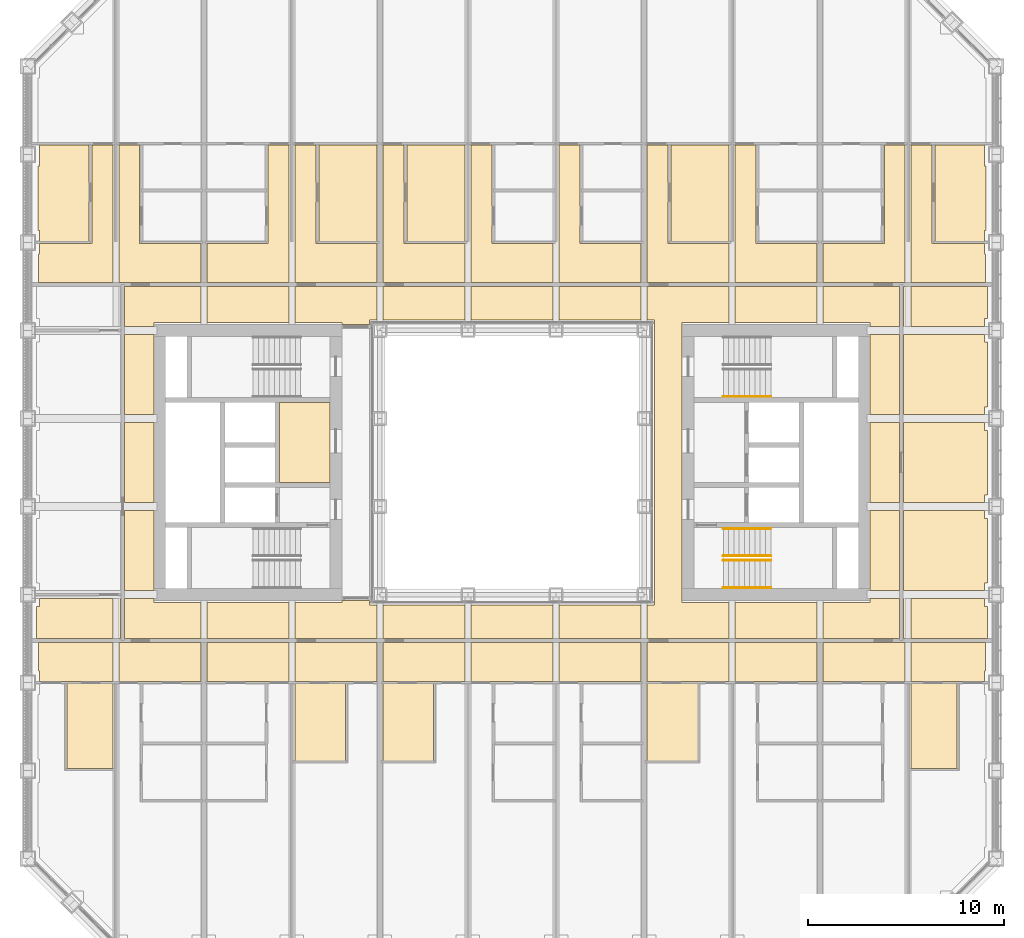
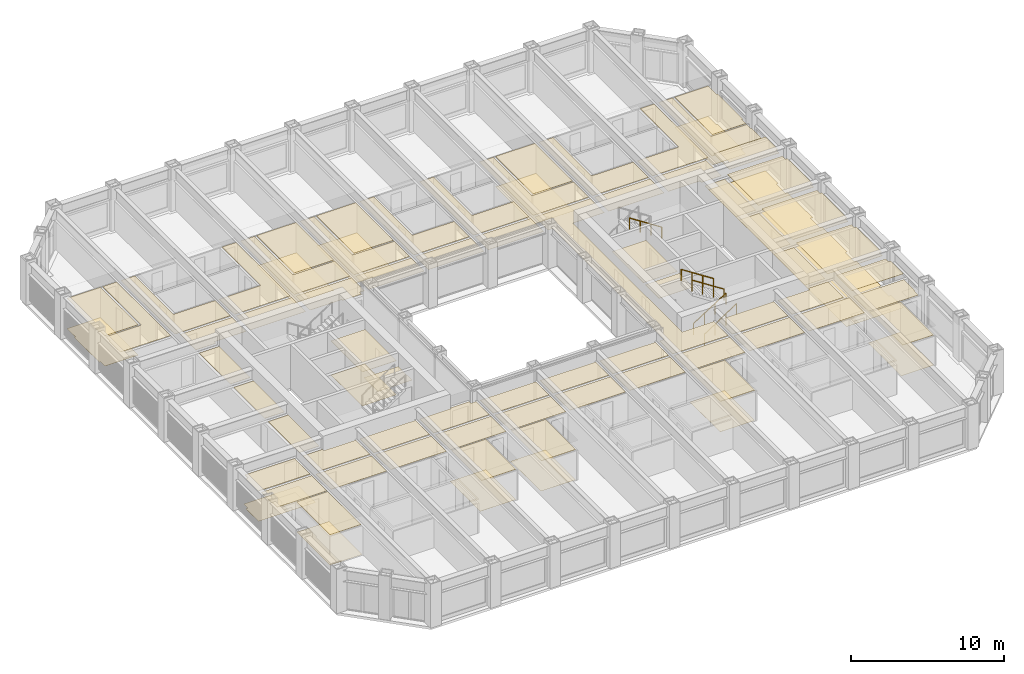
# One storey, part 20 of 21: 5 railings, 4 coverings.
"""IFC4 building model written with IfcOpenShell, lengths in metres."""

from ifc_helpers import new_model, si_unit, direction, frame, origin, origin_2d, place, context, subcontext, project, spatial, line, indexed_curve, circle, outline, extrude, material, layer, layer_set, type_object, element, save


model = new_model("IFC4")

# Units and contexts
model_context = context("Model", 3, precision=1e-05, world=origin(), true_north=direction((0.0, 1.0)))
body_context = subcontext(model_context, "Body", "Model", "MODEL_VIEW")
ifc_project = project(units=[si_unit("LENGTHUNIT", "METRE"), si_unit("AREAUNIT", "SQUARE_METRE"), si_unit("VOLUMEUNIT", "CUBIC_METRE"), si_unit("PLANEANGLEUNIT", "RADIAN"), si_unit("MASSUNIT", "GRAM", prefix="KILO")], contexts=[model_context])

# Site, building, storey
site_placement = place(None, origin())
site = spatial("IfcSite", under=ifc_project, at=site_placement, CompositionType="ELEMENT")
building_placement = place(site_placement, origin())
building = spatial("IfcBuilding", under=site, at=building_placement, Name="Msasa Ring Tower", CompositionType="ELEMENT")
storey_placement = place(building_placement, frame((0.0, 0.0, 47.5)))
storey = spatial("IfcBuildingStorey", under=building, at=storey_placement, Name="L11", CompositionType="ELEMENT", Elevation=47.5)

# Coverings
ifc_material_1 = material(Name="Gypsum plasterboard on a steel suspension grid", Category="steel")
ifc_layer_1 = layer(ifc_material_1, 0.014892578125)
ifc_layer_set_1 = layer_set([ifc_layer_1], Name="C1 SUSPENDED PLASTERBOARD CEILING 15")
covering_type_1 = type_object("IfcCoveringType", Name="C1 SUSPENDED PLASTERBOARD CEILING 15", PredefinedType="CEILING", material=ifc_layer_set_1)
covering_1_placement = place(storey_placement, frame((0.0, 0.0, 2.39990234375)))
element("IfcCovering", 1, at=covering_1_placement, inside=storey, type_object=covering_type_1, Name="Suspended Plasterboard Ceiling 15 circulation L11", PredefinedType="CEILING", context=body_context, shape_type="SweptSolid", body=[
    extrude(outline(indexed_curve([(-24.1494140625, -11.199462890625), (-24.1494140625, -10.6494140625), (-24.199462890625, -10.6494140625), (-24.199462890625, -9.200439453125), (-20.404296875, -9.200439453125), (-20.404296875, -11.199462890625)], segments=[line(1, 2, 3, 4, 5, 6, 1)], self_intersect=False)), origin(), (0.0, 0.0, 1.0), 0.01513671875),
    extrude(outline(indexed_curve([(-24.199462890625, 9.200439453125), (-24.199462890625, 10.6494140625), (-24.1494140625, 10.6494140625), (-24.1494140625, 11.199462890625), (-21.469482421875, 11.199462890625), (-21.469482421875, 16.244384765625), (-20.404296875, 16.244384765625), (-20.404296875, 9.200439453125)], segments=[line(1, 2, 3, 4, 5, 6, 7, 8, 1)], self_intersect=False)), origin(), (0.0, 0.0, 1.0), 0.01513671875),
    extrude(outline(indexed_curve([(-20.095703125, -11.199462890625), (-20.095703125, -9.200439453125), (-15.904296875, -9.200439453125), (-15.904296875, -11.199462890625)], segments=[line(1, 2, 3, 4, 1)], self_intersect=False)), origin(), (0.0, 0.0, 1.0), 0.01513671875),
    extrude(outline(indexed_curve([(-19.030517578125, 16.244384765625), (-19.030517578125, 11.199462890625), (-15.904296875, 11.199462890625), (-15.904296875, 9.200439453125), (-20.095703125, 9.200439453125), (-20.095703125, 16.244384765625)], segments=[line(1, 2, 3, 4, 5, 6, 1)], self_intersect=False)), origin(), (0.0, 0.0, 1.0), 0.01513671875),
    extrude(outline(indexed_curve([(-19.799560546875, -8.99951171875), (-19.799560546875, -6.960693359375), (-18.300537109375, -6.960693359375), (-18.300537109375, -7.150390625), (-15.904296875, -7.150390625), (-15.904296875, -8.99951171875)], segments=[line(1, 2, 3, 4, 5, 6, 1)], self_intersect=False)), origin(), (0.0, 0.0, 1.0), 0.01513671875),
    extrude(outline(indexed_curve([(-19.799560546875, -2.460693359375), (-18.300537109375, -2.460693359375), (-18.300537109375, -6.539306640625), (-19.799560546875, -6.539306640625)], segments=[line(1, 2, 3, 4, 1)], self_intersect=False)), origin(), (0.0, 0.0, 1.0), 0.01513671875),
    extrude(outline(indexed_curve([(-19.799560546875, 2.039306640625), (-18.300537109375, 2.039306640625), (-18.300537109375, -2.039306640625), (-19.799560546875, -2.039306640625)], segments=[line(1, 2, 3, 4, 1)], self_intersect=False)), origin(), (0.0, 0.0, 1.0), 0.01513671875),
    extrude(outline(indexed_curve([(-19.799560546875, 6.539306640625), (-18.300537109375, 6.539306640625), (-18.300537109375, 2.460693359375), (-19.799560546875, 2.460693359375)], segments=[line(1, 2, 3, 4, 1)], self_intersect=False)), origin(), (0.0, 0.0, 1.0), 0.01513671875),
    extrude(outline(indexed_curve([(-19.799560546875, 8.99951171875), (-15.904296875, 8.99951171875), (-15.904296875, 7.150390625), (-18.300537109375, 7.150390625), (-18.300537109375, 6.960693359375), (-19.799560546875, 6.960693359375)], segments=[line(1, 2, 3, 4, 5, 6, 1)], self_intersect=False)), origin(), (0.0, 0.0, 1.0), 0.01513671875),
    extrude(outline(indexed_curve([(-11.404296875, -9.200439453125), (-11.404296875, -11.199462890625), (-15.595703125, -11.199462890625), (-15.595703125, -9.200439453125)], segments=[line(1, 2, 3, 4, 1)], self_intersect=False)), origin(), (0.0, 0.0, 1.0), 0.01513671875),
    extrude(outline(indexed_curve([(-15.595703125, -8.99951171875), (-15.595703125, -7.150390625), (-11.404296875, -7.150390625), (-11.404296875, -8.99951171875)], segments=[line(1, 2, 3, 4, 1)], self_intersect=False)), origin(), (0.0, 0.0, 1.0), 0.01513671875),
    extrude(outline(indexed_curve([(-11.404296875, 8.99951171875), (-11.404296875, 7.150390625), (-15.595703125, 7.150390625), (-15.595703125, 8.99951171875)], segments=[line(1, 2, 3, 4, 1)], self_intersect=False)), origin(), (0.0, 0.0, 1.0), 0.01513671875),
    extrude(outline(indexed_curve([(-15.595703125, 9.200439453125), (-15.595703125, 11.199462890625), (-12.469482421875, 11.199462890625), (-12.469482421875, 16.244384765625), (-11.404296875, 16.244384765625), (-11.404296875, 9.200439453125)], segments=[line(1, 2, 3, 4, 5, 6, 1)], self_intersect=False)), origin(), (0.0, 0.0, 1.0), 0.01513671875),
    extrude(outline(indexed_curve([(-11.87451171875, -1.275390625), (-9.300537109375, -1.275390625), (-9.300537109375, -3.074462890625), (-11.87451171875, -3.074462890625)], segments=[line(1, 2, 3, 4, 1)], self_intersect=False)), origin(), (0.0, 0.0, 1.0), 0.01513671875),
    extrude(outline(indexed_curve([(-6.904296875, -9.200439453125), (-6.904296875, -11.199462890625), (-11.095703125, -11.199462890625), (-11.095703125, -9.200439453125)], segments=[line(1, 2, 3, 4, 1)], self_intersect=False)), origin(), (0.0, 0.0, 1.0), 0.01513671875),
    extrude(outline(indexed_curve([(-11.095703125, -8.99951171875), (-11.095703125, -7.150390625), (-8.699462890625, -7.150390625), (-8.699462890625, -7.050537109375), (-7.280029296875, -7.050537109375), (-7.275390625, -7.275390625), (-6.904296875, -7.280029296875), (-6.904296875, -8.99951171875)], segments=[line(1, 2, 3, 4, 5, 6, 7, 8, 1)], self_intersect=False)), origin(), (0.0, 0.0, 1.0), 0.01513671875),
    extrude(outline(indexed_curve([(-6.904296875, 8.99951171875), (-6.904296875, 7.280029296875), (-7.275390625, 7.275390625), (-7.280029296875, 7.050537109375), (-8.699462890625, 7.050537109375), (-8.699462890625, 7.150390625), (-11.095703125, 7.150390625), (-11.095703125, 8.99951171875)], segments=[line(1, 2, 3, 4, 5, 6, 7, 8, 1)], self_intersect=False)), origin(), (0.0, 0.0, 1.0), 0.01513671875),
    extrude(outline(indexed_curve([(-10.030517578125, 16.244384765625), (-10.030517578125, 11.199462890625), (-6.904296875, 11.199462890625), (-6.904296875, 9.200439453125), (-11.095703125, 9.200439453125), (-11.095703125, 16.244384765625)], segments=[line(1, 2, 3, 4, 5, 6, 1)], self_intersect=False)), origin(), (0.0, 0.0, 1.0), 0.01513671875),
    extrude(outline(indexed_curve([(-6.595703125, -11.199462890625), (-6.595703125, -9.200439453125), (-2.404296875, -9.200439453125), (-2.404296875, -11.199462890625)], segments=[line(1, 2, 3, 4, 1)], self_intersect=False)), origin(), (0.0, 0.0, 1.0), 0.01513671875),
    extrude(outline(indexed_curve([(-6.595703125, -8.99951171875), (-6.595703125, -7.280029296875), (-2.404296875, -7.280029296875), (-2.404296875, -8.99951171875)], segments=[line(1, 2, 3, 4, 1)], self_intersect=False)), origin(), (0.0, 0.0, 1.0), 0.01513671875),
    extrude(outline(indexed_curve([(-2.404296875, 8.99951171875), (-2.404296875, 7.280029296875), (-6.595703125, 7.280029296875), (-6.595703125, 8.99951171875)], segments=[line(1, 2, 3, 4, 1)], self_intersect=False)), origin(), (0.0, 0.0, 1.0), 0.01513671875),
    extrude(outline(indexed_curve([(-2.404296875, 11.199462890625), (-2.404296875, 9.200439453125), (-6.595703125, 9.200439453125), (-6.595703125, 16.244384765625), (-5.530517578125, 16.244384765625), (-5.530517578125, 11.199462890625)], segments=[line(1, 2, 3, 4, 5, 6, 1)], self_intersect=False)), origin(), (0.0, 0.0, 1.0), 0.01513671875),
    extrude(outline(indexed_curve([(-2.095703125, -11.199462890625), (-2.095703125, -9.200439453125), (2.095703125, -9.200439453125), (2.095703125, -11.199462890625)], segments=[line(1, 2, 3, 4, 1)], self_intersect=False)), origin(), (0.0, 0.0, 1.0), 0.01513671875),
    extrude(outline(indexed_curve([(-2.095703125, -8.99951171875), (-2.095703125, -7.280029296875), (2.095703125, -7.280029296875), (2.095703125, -8.99951171875)], segments=[line(1, 2, 3, 4, 1)], self_intersect=False)), origin(), (0.0, 0.0, 1.0), 0.01513671875),
    extrude(outline(indexed_curve([(2.095703125, 8.99951171875), (2.095703125, 7.280029296875), (-2.095703125, 7.280029296875), (-2.095703125, 8.99951171875)], segments=[line(1, 2, 3, 4, 1)], self_intersect=False)), origin(), (0.0, 0.0, 1.0), 0.01513671875),
    extrude(outline(indexed_curve([(-1.030517578125, 16.244384765625), (-1.030517578125, 11.199462890625), (2.095703125, 11.199462890625), (2.095703125, 9.200439453125), (-2.095703125, 9.200439453125), (-2.095703125, 16.244384765625)], segments=[line(1, 2, 3, 4, 5, 6, 1)], self_intersect=False)), origin(), (0.0, 0.0, 1.0), 0.01513671875),
    extrude(outline(indexed_curve([(2.404296875, -11.199462890625), (2.404296875, -9.200439453125), (6.595703125, -9.200439453125), (6.595703125, -11.199462890625)], segments=[line(1, 2, 3, 4, 1)], self_intersect=False)), origin(), (0.0, 0.0, 1.0), 0.01513671875),
    extrude(outline(indexed_curve([(2.404296875, -8.99951171875), (2.404296875, -7.280029296875), (6.595703125, -7.280029296875), (6.595703125, -8.99951171875)], segments=[line(1, 2, 3, 4, 1)], self_intersect=False)), origin(), (0.0, 0.0, 1.0), 0.01513671875),
    extrude(outline(indexed_curve([(6.595703125, 8.99951171875), (6.595703125, 7.280029296875), (2.404296875, 7.280029296875), (2.404296875, 8.99951171875)], segments=[line(1, 2, 3, 4, 1)], self_intersect=False)), origin(), (0.0, 0.0, 1.0), 0.01513671875),
    extrude(outline(indexed_curve([(3.469482421875, 16.244384765625), (3.469482421875, 11.199462890625), (6.595703125, 11.199462890625), (6.595703125, 9.200439453125), (2.404296875, 9.200439453125), (2.404296875, 16.244384765625)], segments=[line(1, 2, 3, 4, 5, 6, 1)], self_intersect=False)), origin(), (0.0, 0.0, 1.0), 0.01513671875),
    extrude(outline(indexed_curve([(11.095703125, -9.200439453125), (11.095703125, -11.199462890625), (6.904296875, -11.199462890625), (6.904296875, -9.200439453125)], segments=[line(1, 2, 3, 4, 1)], self_intersect=False)), origin(), (0.0, 0.0, 1.0), 0.01513671875),
    extrude(outline(indexed_curve([(6.904296875, -8.99951171875), (6.904296875, -7.280029296875), (7.275390625, -7.275390625), (7.280517578125, -7.23046875), (7.280517578125, 7.23046875), (7.275390625, 7.275390625), (6.904296875, 7.280029296875), (6.904296875, 8.99951171875), (11.095703125, 8.99951171875), (11.095703125, 7.150390625), (8.699462890625, 7.150390625), (8.699462890625, -7.150390625), (11.095703125, -7.150390625), (11.095703125, -8.99951171875)], segments=[line(1, 2, 3, 4, 5, 6, 7, 8, 9, 10, 11, 12, 13, 14, 1)], self_intersect=False)), origin(), (0.0, 0.0, 1.0), 0.01513671875),
    extrude(outline(indexed_curve([(7.969482421875, 11.199462890625), (11.095703125, 11.199462890625), (11.095703125, 9.200439453125), (6.904296875, 9.200439453125), (6.904296875, 16.244384765625), (7.969482421875, 16.244384765625)], segments=[line(1, 2, 3, 4, 5, 6, 1)], self_intersect=False)), origin(), (0.0, 0.0, 1.0), 0.01513671875),
    extrude(outline(indexed_curve([(9.300537109375, -1.275390625), (11.87451171875, -1.275390625), (11.87451171875, -3.074462890625), (9.300537109375, -3.074462890625)], segments=[line(1, 2, 3, 4, 1)], self_intersect=False)), origin(), (0.0, 0.0, 1.0), 0.01513671875),
    extrude(outline(indexed_curve([(9.300537109375, 3.074462890625), (11.87451171875, 3.074462890625), (11.87451171875, -1.0244140625), (9.300537109375, -1.0244140625)], segments=[line(1, 2, 3, 4, 1)], self_intersect=False)), origin(), (0.0, 0.0, 1.0), 0.01513671875),
    extrude(outline(indexed_curve([(15.595703125, -9.200439453125), (15.595703125, -11.199462890625), (11.404296875, -11.199462890625), (11.404296875, -9.200439453125)], segments=[line(1, 2, 3, 4, 1)], self_intersect=False)), origin(), (0.0, 0.0, 1.0), 0.01513671875),
    extrude(outline(indexed_curve([(11.404296875, -8.99951171875), (11.404296875, -7.150390625), (15.595703125, -7.150390625), (15.595703125, -8.99951171875)], segments=[line(1, 2, 3, 4, 1)], self_intersect=False)), origin(), (0.0, 0.0, 1.0), 0.01513671875),
    extrude(outline(indexed_curve([(15.595703125, 8.99951171875), (15.595703125, 7.150390625), (11.404296875, 7.150390625), (11.404296875, 8.99951171875)], segments=[line(1, 2, 3, 4, 1)], self_intersect=False)), origin(), (0.0, 0.0, 1.0), 0.01513671875),
    extrude(outline(indexed_curve([(12.469482421875, 16.244384765625), (12.469482421875, 11.199462890625), (15.595703125, 11.199462890625), (15.595703125, 9.200439453125), (11.404296875, 9.200439453125), (11.404296875, 16.244384765625)], segments=[line(1, 2, 3, 4, 5, 6, 1)], self_intersect=False)), origin(), (0.0, 0.0, 1.0), 0.01513671875),
    extrude(outline(indexed_curve([(20.095703125, -9.200439453125), (20.095703125, -11.199462890625), (15.904296875, -11.199462890625), (15.904296875, -9.200439453125)], segments=[line(1, 2, 3, 4, 1)], self_intersect=False)), origin(), (0.0, 0.0, 1.0), 0.01513671875),
    extrude(outline(indexed_curve([(19.799560546875, -8.99951171875), (15.904296875, -8.99951171875), (15.904296875, -7.150390625), (18.300537109375, -7.150390625), (18.300537109375, -6.960693359375), (19.799560546875, -6.960693359375)], segments=[line(1, 2, 3, 4, 5, 6, 1)], self_intersect=False)), origin(), (0.0, 0.0, 1.0), 0.01513671875),
    extrude(outline(indexed_curve([(19.799560546875, 6.960693359375), (18.300537109375, 6.960693359375), (18.300537109375, 7.150390625), (15.904296875, 7.150390625), (15.904296875, 8.99951171875), (19.799560546875, 8.99951171875)], segments=[line(1, 2, 3, 4, 5, 6, 1)], self_intersect=False)), origin(), (0.0, 0.0, 1.0), 0.01513671875),
    extrude(outline(indexed_curve([(15.904296875, 9.200439453125), (15.904296875, 11.199462890625), (19.030517578125, 11.199462890625), (19.030517578125, 16.244384765625), (20.095703125, 16.244384765625), (20.095703125, 9.200439453125)], segments=[line(1, 2, 3, 4, 5, 6, 1)], self_intersect=False)), origin(), (0.0, 0.0, 1.0), 0.01513671875),
    extrude(outline(indexed_curve([(19.799560546875, -6.539306640625), (18.300537109375, -6.539306640625), (18.300537109375, -2.460693359375), (19.799560546875, -2.460693359375)], segments=[line(1, 2, 3, 4, 1)], self_intersect=False)), origin(), (0.0, 0.0, 1.0), 0.01513671875),
    extrude(outline(indexed_curve([(19.799560546875, -2.039306640625), (18.300537109375, -2.039306640625), (18.300537109375, 2.039306640625), (19.799560546875, 2.039306640625)], segments=[line(1, 2, 3, 4, 1)], self_intersect=False)), origin(), (0.0, 0.0, 1.0), 0.01513671875),
    extrude(outline(indexed_curve([(19.799560546875, 2.460693359375), (18.300537109375, 2.460693359375), (18.300537109375, 6.539306640625), (19.799560546875, 6.539306640625)], segments=[line(1, 2, 3, 4, 1)], self_intersect=False)), origin(), (0.0, 0.0, 1.0), 0.01513671875),
    extrude(outline(indexed_curve([(24.199462890625, -9.200439453125), (24.199462890625, -10.6494140625), (24.1494140625, -10.6494140625), (24.1494140625, -11.199462890625), (20.404296875, -11.199462890625), (20.404296875, -9.200439453125)], segments=[line(1, 2, 3, 4, 5, 6, 1)], self_intersect=False)), origin(), (0.0, 0.0, 1.0), 0.01513671875),
    extrude(outline(indexed_curve([(21.469482421875, 16.244384765625), (21.469482421875, 11.199462890625), (24.1494140625, 11.199462890625), (24.1494140625, 10.6494140625), (24.199462890625, 10.6494140625), (24.199462890625, 9.200439453125), (20.404296875, 9.200439453125), (20.404296875, 16.244384765625)], segments=[line(1, 2, 3, 4, 5, 6, 7, 8, 1)], self_intersect=False)), origin(), (0.0, 0.0, 1.0), 0.01513671875),
])
ifc_material_2 = material(Name="Mineral fibre ceiling tiles on an exposed steel grid", Category="steel")
ifc_layer_2 = layer(ifc_material_2, 0.02001953125)
ifc_layer_set_2 = layer_set([ifc_layer_2], Name="C3 ACOUSTIC MINERAL FIBRE TILE CEILING 20")
covering_type_2 = type_object("IfcCoveringType", Name="C3 ACOUSTIC MINERAL FIBRE TILE CEILING 20", PredefinedType="CEILING", material=ifc_layer_set_2)
covering_2_placement = place(storey_placement, frame((0.0, 0.0, 2.699951171875)))
element("IfcCovering", 2, at=covering_2_placement, inside=storey, type_object=covering_type_2, Name="Acoustic Mineral Fibre Tile Ceiling 20 L11", PredefinedType="CEILING", context=body_context, shape_type="SweptSolid", body=[
    extrude(outline(indexed_curve([(-9.300537109375, 3.074462890625), (-9.300537109375, -1.0244140625), (-11.87451171875, -1.0244140625), (-11.87451171875, 3.074462890625)], segments=[line(1, 2, 3, 4, 1)], self_intersect=False)), origin(), (0.0, 0.0, 1.0), 0.02001953125),
    extrude(outline(indexed_curve([(20.00048828125, -2.460693359375), (24.1494140625, -2.460693359375), (24.1494140625, -2.8505859375), (24.299560546875, -2.8505859375), (24.299560546875, -6.1494140625), (24.1494140625, -6.1494140625), (24.1494140625, -6.539306640625), (20.00048828125, -6.539306640625)], segments=[line(1, 2, 3, 4, 5, 6, 7, 8, 1)], self_intersect=False)), origin(), (0.0, 0.0, 1.0), 0.02001953125),
    extrude(outline(indexed_curve([(20.00048828125, 2.039306640625), (24.1494140625, 2.039306640625), (24.1494140625, 1.6494140625), (24.299560546875, 1.6494140625), (24.299560546875, -1.6494140625), (24.1494140625, -1.6494140625), (24.1494140625, -2.039306640625), (20.00048828125, -2.039306640625)], segments=[line(1, 2, 3, 4, 5, 6, 7, 8, 1)], self_intersect=False)), origin(), (0.0, 0.0, 1.0), 0.02001953125),
    extrude(outline(indexed_curve([(20.00048828125, 6.539306640625), (24.1494140625, 6.539306640625), (24.1494140625, 6.1494140625), (24.299560546875, 6.1494140625), (24.299560546875, 2.8505859375), (24.1494140625, 2.8505859375), (24.1494140625, 2.460693359375), (20.00048828125, 2.460693359375)], segments=[line(1, 2, 3, 4, 5, 6, 7, 8, 1)], self_intersect=False)), origin(), (0.0, 0.0, 1.0), 0.02001953125),
    extrude(outline(indexed_curve([(24.299560546875, -8.99951171875), (20.404296875, -8.99951171875), (20.404296875, -6.960693359375), (24.1494140625, -6.960693359375), (24.1494140625, -7.3505859375), (24.299560546875, -7.3505859375)], segments=[line(1, 2, 3, 4, 5, 6, 1)], self_intersect=False)), origin(), (0.0, 0.0, 1.0), 0.02001953125),
    extrude(outline(indexed_curve([(24.299560546875, 8.99951171875), (24.299560546875, 7.3505859375), (24.1494140625, 7.3505859375), (24.1494140625, 6.960693359375), (20.404296875, 6.960693359375), (20.404296875, 8.99951171875)], segments=[line(1, 2, 3, 4, 5, 6, 1)], self_intersect=False)), origin(), (0.0, 0.0, 1.0), 0.02001953125),
])
ifc_material_3 = material(Name="Perforated aluminium ceiling pans on a steel grid", Category="steel")
ifc_layer_3 = layer(ifc_material_3, 0.02490234375)
ifc_layer_set_3 = layer_set([ifc_layer_3], Name="C4 PERFORATED METAL PAN CEILING 25")
covering_type_3 = type_object("IfcCoveringType", Name="C4 PERFORATED METAL PAN CEILING 25", PredefinedType="CEILING", material=ifc_layer_set_3)
covering_3_placement = place(storey_placement, frame((0.0, 0.0, 2.39990234375)))
element("IfcCovering", 3, at=covering_3_placement, inside=storey, type_object=covering_type_3, Name="Perforated Metal Pan Ceiling 25 L11", PredefinedType="CEILING", context=body_context, shape_type="SweptSolid", body=[
    extrude(outline(indexed_curve([(-24.299560546875, -8.99951171875), (-24.299560546875, -7.3505859375), (-24.1494140625, -7.3505859375), (-24.1494140625, -6.960693359375), (-20.404296875, -6.960693359375), (-20.404296875, -8.99951171875)], segments=[line(1, 2, 3, 4, 5, 6, 1)], self_intersect=False)), origin(), (0.0, 0.0, 1.0), 0.025146484375),
    extrude(outline(indexed_curve([(-24.239501953125, 15.1494140625), (-24.1494140625, 15.1494140625), (-24.1494140625, 16.244384765625), (-21.630615234375, 16.244384765625), (-21.630615234375, 11.305419921875), (-24.1494140625, 11.305419921875), (-24.1494140625, 11.8505859375), (-24.239501953125, 11.8505859375)], segments=[line(1, 2, 3, 4, 5, 6, 7, 8, 1)], self_intersect=False)), origin(), (0.0, 0.0, 1.0), 0.025146484375),
    extrude(outline(indexed_curve([(-22.74951171875, -15.6416015625), (-22.74951171875, -11.300537109375), (-20.404296875, -11.300537109375), (-20.404296875, -15.6416015625)], segments=[line(1, 2, 3, 4, 1)], self_intersect=False)), origin(), (0.0, 0.0, 1.0), 0.025146484375),
    extrude(outline(indexed_curve([(-11.095703125, -15.24951171875), (-11.095703125, -11.300537109375), (-8.50048828125, -11.300537109375), (-8.50048828125, -15.24951171875)], segments=[line(1, 2, 3, 4, 1)], self_intersect=False)), origin(), (0.0, 0.0, 1.0), 0.025146484375),
    extrude(outline(indexed_curve([(-9.869384765625, 11.305419921875), (-9.869384765625, 16.244384765625), (-6.904296875, 16.244384765625), (-6.904296875, 11.305419921875)], segments=[line(1, 2, 3, 4, 1)], self_intersect=False)), origin(), (0.0, 0.0, 1.0), 0.025146484375),
    extrude(outline(indexed_curve([(-6.595703125, -15.24951171875), (-6.595703125, -11.300537109375), (-4.00048828125, -11.300537109375), (-4.00048828125, -15.24951171875)], segments=[line(1, 2, 3, 4, 1)], self_intersect=False)), origin(), (0.0, 0.0, 1.0), 0.025146484375),
    extrude(outline(indexed_curve([(-5.369384765625, 11.305419921875), (-5.369384765625, 16.244384765625), (-2.404296875, 16.244384765625), (-2.404296875, 11.305419921875)], segments=[line(1, 2, 3, 4, 1)], self_intersect=False)), origin(), (0.0, 0.0, 1.0), 0.025146484375),
    extrude(outline(indexed_curve([(9.49951171875, -11.300537109375), (9.49951171875, -15.24951171875), (6.904296875, -15.24951171875), (6.904296875, -11.300537109375)], segments=[line(1, 2, 3, 4, 1)], self_intersect=False)), origin(), (0.0, 0.0, 1.0), 0.025146484375),
    extrude(outline(indexed_curve([(8.130615234375, 16.244384765625), (11.095703125, 16.244384765625), (11.095703125, 11.305419921875), (8.130615234375, 11.305419921875)], segments=[line(1, 2, 3, 4, 1)], self_intersect=False)), origin(), (0.0, 0.0, 1.0), 0.025146484375),
    extrude(outline(indexed_curve([(22.74951171875, -11.300537109375), (22.74951171875, -15.6416015625), (20.404296875, -15.6416015625), (20.404296875, -11.300537109375)], segments=[line(1, 2, 3, 4, 1)], self_intersect=False)), origin(), (0.0, 0.0, 1.0), 0.025146484375),
    extrude(outline(indexed_curve([(21.630615234375, 16.244384765625), (24.1494140625, 16.244384765625), (24.1494140625, 15.1494140625), (24.239501953125, 15.1494140625), (24.239501953125, 11.8505859375), (24.1494140625, 11.8505859375), (24.1494140625, 11.305419921875), (21.630615234375, 11.305419921875)], segments=[line(1, 2, 3, 4, 5, 6, 7, 8, 1)], self_intersect=False)), origin(), (0.0, 0.0, 1.0), 0.025146484375),
])
ifc_material_4 = material(Name="Welded vinyl safety sheet flooring", Category="vinyl")
ifc_layer_4 = layer(ifc_material_4, 0.0029296875)
ifc_layer_set_4 = layer_set([ifc_layer_4], Name="F5 RESILIENT SHEET FLOORING 3")
covering_type_4 = type_object("IfcCoveringType", Name="F5 RESILIENT SHEET FLOORING 3", PredefinedType="FLOORING", material=ifc_layer_set_4)
covering_4_placement = place(storey_placement, origin())
element("IfcCovering", 4, at=covering_4_placement, inside=storey, type_object=covering_type_4, Name="Resilient Sheet Flooring 3 L11", PredefinedType="FLOORING", context=body_context, shape_type="SweptSolid", body=[
    extrude(outline(indexed_curve([(-20.00048828125, -8.99951171875), (-24.299560546875, -8.99951171875), (-24.299560546875, -7.3505859375), (-24.1494140625, -7.3505859375), (-24.1494140625, -6.805419921875), (-20.00048828125, -6.805419921875)], segments=[line(1, 2, 3, 4, 5, 6, 1)], self_intersect=False)), origin(), (0.0, 0.0, 1.0), 0.0029296875),
    extrude(outline(indexed_curve([(-21.630615234375, 16.244384765625), (-21.630615234375, 11.305419921875), (-24.1494140625, 11.305419921875), (-24.1494140625, 11.8505859375), (-24.239501953125, 11.8505859375), (-24.239501953125, 15.1494140625), (-24.1494140625, 15.1494140625), (-24.1494140625, 16.244384765625)], segments=[line(1, 2, 3, 4, 5, 6, 7, 8, 1)], self_intersect=False)), origin(), (0.0, 0.0, 1.0), 0.0029296875),
    extrude(outline(indexed_curve([(-22.74951171875, -11.300537109375), (-20.310546875, -11.300537109375), (-20.310546875, -15.6416015625), (-22.74951171875, -15.6416015625)], segments=[line(1, 2, 3, 4, 1)], self_intersect=False)), origin(), (0.0, 0.0, 1.0), 0.0029296875),
    extrude(outline(indexed_curve([(-9.300537109375, 3.074462890625), (-9.300537109375, -1.0244140625), (-11.87451171875, -1.0244140625), (-11.87451171875, 3.074462890625)], segments=[line(1, 2, 3, 4, 1)], self_intersect=False)), origin(), (0.0, 0.0, 1.0), 0.0029296875),
    extrude(outline(indexed_curve([(-8.50048828125, -11.300537109375), (-8.50048828125, -15.24951171875), (-11.189453125, -15.24951171875), (-11.189453125, -11.300537109375)], segments=[line(1, 2, 3, 4, 1)], self_intersect=False)), origin(), (0.0, 0.0, 1.0), 0.0029296875),
    extrude(outline(indexed_curve([(-9.869384765625, 16.244384765625), (-6.87548828125, 16.244384765625), (-6.87548828125, 11.305419921875), (-9.869384765625, 11.305419921875)], segments=[line(1, 2, 3, 4, 1)], self_intersect=False)), origin(), (0.0, 0.0, 1.0), 0.0029296875),
    extrude(outline(indexed_curve([(-4.00048828125, -11.300537109375), (-4.00048828125, -15.24951171875), (-6.62451171875, -15.24951171875), (-6.62451171875, -11.300537109375)], segments=[line(1, 2, 3, 4, 1)], self_intersect=False)), origin(), (0.0, 0.0, 1.0), 0.0029296875),
    extrude(outline(indexed_curve([(-2.310546875, 16.244384765625), (-2.310546875, 11.305419921875), (-5.369384765625, 11.305419921875), (-5.369384765625, 16.244384765625)], segments=[line(1, 2, 3, 4, 1)], self_intersect=False)), origin(), (0.0, 0.0, 1.0), 0.0029296875),
    extrude(outline(indexed_curve([(9.49951171875, -11.300537109375), (9.49951171875, -15.24951171875), (6.87548828125, -15.24951171875), (6.87548828125, -11.300537109375)], segments=[line(1, 2, 3, 4, 1)], self_intersect=False)), origin(), (0.0, 0.0, 1.0), 0.0029296875),
    extrude(outline(indexed_curve([(11.189453125, 16.244384765625), (11.189453125, 11.305419921875), (8.130615234375, 11.305419921875), (8.130615234375, 16.244384765625)], segments=[line(1, 2, 3, 4, 1)], self_intersect=False)), origin(), (0.0, 0.0, 1.0), 0.0029296875),
    extrude(outline(indexed_curve([(20.00048828125, 8.99951171875), (24.299560546875, 8.99951171875), (24.299560546875, 7.3505859375), (24.1494140625, 7.3505859375), (24.1494140625, 6.1494140625), (24.299560546875, 6.1494140625), (24.299560546875, 2.8505859375), (24.1494140625, 2.8505859375), (24.1494140625, 1.6494140625), (24.299560546875, 1.6494140625), (24.299560546875, -1.6494140625), (24.1494140625, -1.6494140625), (24.1494140625, -2.8505859375), (24.299560546875, -2.8505859375), (24.299560546875, -6.1494140625), (24.1494140625, -6.1494140625), (24.1494140625, -7.3505859375), (24.299560546875, -7.3505859375), (24.299560546875, -8.99951171875), (20.00048828125, -8.99951171875)], segments=[line(1, 2, 3, 4, 5, 6, 7, 8, 9, 10, 11, 12, 13, 14, 15, 16, 17, 18, 19, 20, 1)], self_intersect=False)), origin(), (0.0, 0.0, 1.0), 0.0029296875),
    extrude(outline(indexed_curve([(22.74951171875, -11.300537109375), (22.74951171875, -15.6416015625), (20.310546875, -15.6416015625), (20.310546875, -11.300537109375)], segments=[line(1, 2, 3, 4, 1)], self_intersect=False)), origin(), (0.0, 0.0, 1.0), 0.0029296875),
    extrude(outline(indexed_curve([(24.1494140625, 16.244384765625), (24.1494140625, 15.1494140625), (24.239501953125, 15.1494140625), (24.239501953125, 11.8505859375), (24.1494140625, 11.8505859375), (24.1494140625, 11.305419921875), (21.630615234375, 11.305419921875), (21.630615234375, 16.244384765625)], segments=[line(1, 2, 3, 4, 5, 6, 7, 8, 1)], self_intersect=False)), origin(), (0.0, 0.0, 1.0), 0.0029296875),
])

# Railings
ifc_material_5 = material(Name="Stainless steel", Category="steel")
railing_type = type_object("IfcRailingType", Name="HR1 HANDRAIL 900", PredefinedType="HANDRAIL", material=ifc_material_5)
for number, where, name in (
    (5, (10.800048828125, -6.39990234375, 0.175048828125), "Handrail stair SEA L11 1"),
    (6, (10.800048828125, -5.0, 0.175048828125), "Handrail stair SEA L11 2"),
):
    element("IfcRailing", number, at=place(storey_placement, frame(where)), inside=storey, type_object=railing_type, Name=name, PredefinedType="HANDRAIL", context=body_context, shape_type="SweptSolid", body=[
        extrude(circle(Radius=0.02392578125, at=origin_2d()), frame((0.0, 0.0, 0.8759765625), z_axis=(0.839153699163, 0.0, 0.543894354798), x_axis=(0.0, 1.0, 0.0)), (0.0, 0.0, 1.0), 2.895751953125),
        extrude(circle(Radius=0.02099609375, at=origin_2d()), origin(), (0.0, 0.0, 1.0), 0.851806640625),
        extrude(circle(Radius=0.02099609375, at=origin_2d()), frame((0.81005859375, 0.0, 0.52490234375)), (0.0, 0.0, 1.0), 0.851806640625),
        extrude(circle(Radius=0.02099609375, at=origin_2d()), frame((1.619873046875, 0.0, 1.050048828125)), (0.0, 0.0, 1.0), 0.851806640625),
        extrude(circle(Radius=0.02099609375, at=origin_2d()), frame((2.429931640625, 0.0, 1.574951171875)), (0.0, 0.0, 1.0), 0.851806640625),
    ])
for number, where, name in (
    (7, (13.22998046875, -4.77490234375, 1.925048828125), "Handrail stair SEA L11 3"),
    (8, (13.22998046875, -3.375, 1.925048828125), "Handrail stair SEA L11 4"),
    (9, (13.22998046875, 3.375, 1.925048828125), "Handrail stair SEB L11 3"),
):
    element("IfcRailing", number, at=place(storey_placement, frame(where)), inside=storey, type_object=railing_type, Name=name, PredefinedType="HANDRAIL", context=body_context, shape_type="SweptSolid", body=[
        extrude(circle(Radius=0.02392578125, at=origin_2d()), frame((0.0, 0.0, 0.8759765625), z_axis=(-0.839153699163, 0.0, 0.543894354798), x_axis=(0.0, -1.0, 0.0)), (0.0, 0.0, 1.0), 2.895751953125),
        extrude(circle(Radius=0.02099609375, at=origin_2d()), origin(), (0.0, 0.0, 1.0), 0.851806640625),
        extrude(circle(Radius=0.02099609375, at=origin_2d()), frame((-0.81005859375, 0.0, 0.52490234375)), (0.0, 0.0, 1.0), 0.851806640625),
        extrude(circle(Radius=0.02099609375, at=origin_2d()), frame((-1.619873046875, 0.0, 1.050048828125)), (0.0, 0.0, 1.0), 0.851806640625),
        extrude(circle(Radius=0.02099609375, at=origin_2d()), frame((-2.429931640625, 0.0, 1.574951171875)), (0.0, 0.0, 1.0), 0.851806640625),
    ])

save(model, "model.ifc")
